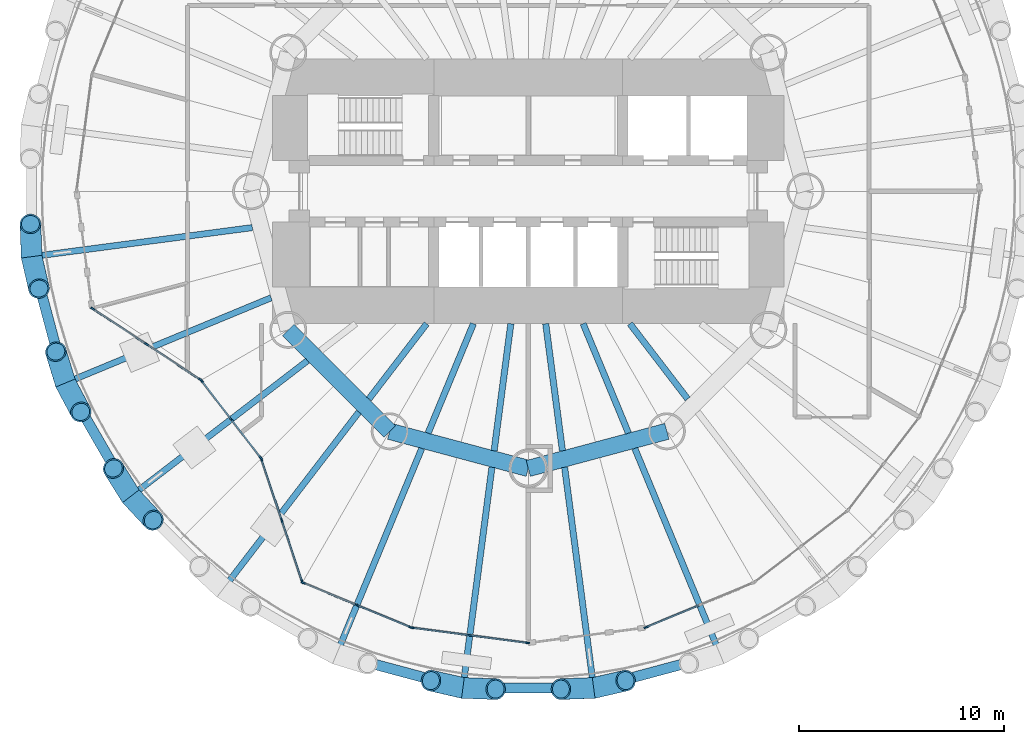
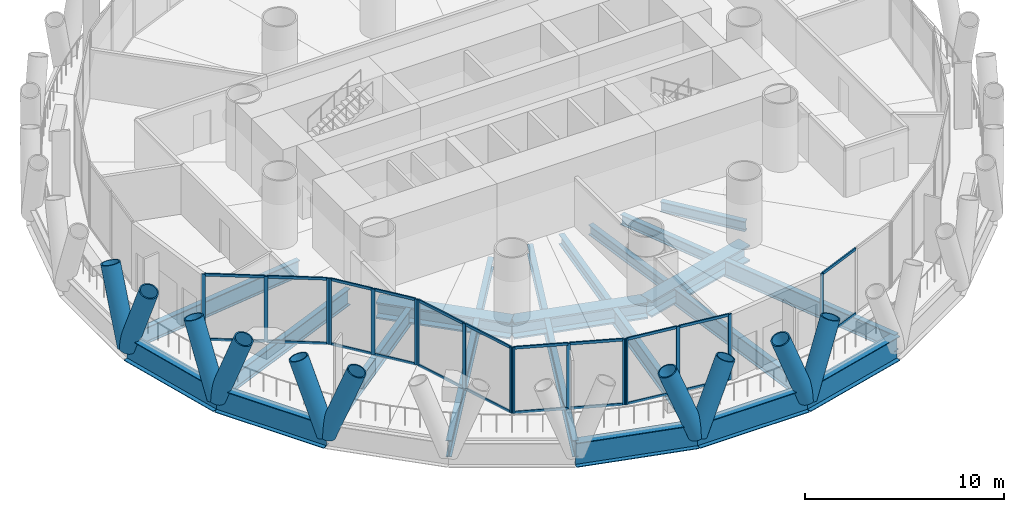
# One storey, part 2 of 14: 48 members, 22 beams, 6 elements without a shape of their own.
"""IFC4 building model written with IfcOpenShell, lengths in metres."""

from ifc_helpers import new_model, si_unit, direction, frame, origin, origin_2d, place, context, subcontext, project, spatial, rectangle, hollow_circle, i_section, extrude, material, material_profile, profile_set, type_object, element, aggregate, save


model = new_model("IFC4")

# Units and contexts
model_context = context("Model", 3, precision=1e-05, world=origin(), true_north=direction((0.0, 1.0)))
body_context = subcontext(model_context, "Body", "Model", "MODEL_VIEW")
ifc_project = project(units=[si_unit("LENGTHUNIT", "METRE"), si_unit("AREAUNIT", "SQUARE_METRE"), si_unit("VOLUMEUNIT", "CUBIC_METRE"), si_unit("PLANEANGLEUNIT", "RADIAN"), si_unit("MASSUNIT", "GRAM", prefix="KILO")], contexts=[model_context])

# Site, building, storey
site_placement = place(None, origin())
site = spatial("IfcSite", under=ifc_project, at=site_placement, CompositionType="ELEMENT")
building_placement = place(site_placement, origin())
building = spatial("IfcBuilding", under=site, at=building_placement, Name="Qaws Media Tower", CompositionType="ELEMENT")
storey_placement = place(building_placement, frame((0.0, 0.0, 185.60009765625)))
storey = spatial("IfcBuildingStorey", under=building, at=storey_placement, Name="L42", CompositionType="ELEMENT", Elevation=185.60009765625)

# Curtain wall, members
ifc_material_1 = material(Name="Aluminium and clear glass", Category="aluminium")
curtain_wall_type_1 = type_object("IfcCurtainWallType", Name="Loggia curtain wall CW-G", PredefinedType="NOTDEFINED", material=ifc_material_1)
curtain_wall_1_placement = place(storey_placement, origin())
curtain_wall_1 = element("IfcCurtainWall", 1, at=curtain_wall_1_placement, inside=storey, type_object=curtain_wall_type_1, Name="CWG curtain wall L42-14", PredefinedType="NOTDEFINED")
ifc_material_2 = material(Name="Aluminium mullion", Category="aluminium")
ifc_material_profile_1 = material_profile(ifc_material_2, rectangle(XDim=0.080078125, YDim=0.199951171875, at=origin_2d()), Name="80x200")
ifc_profile_set_1 = profile_set([ifc_material_profile_1], Name="Aluminium mullion")
member_type_1 = type_object("IfcMemberType", Name="Curtain wall mullion 80x200", PredefinedType="MULLION", material=ifc_profile_set_1)
member_1_placement = place(storey_placement, frame((38.782958984375, 44.283935546875, 0.0), z_axis=(0.0, 0.0, 1.0), x_axis=(0.550596087, 0.834771794553, 0.0)))
member_1 = element("IfcMember", 2, at=member_1_placement, type_object=member_type_1, Name="CWG mullion 1", PredefinedType="MULLION", context=body_context, shape_type="SweptSolid", body=[
    extrude(rectangle(XDim=0.080078125, YDim=0.199951171875, at=origin_2d()), origin(), (0.0, 0.0, 1.0), 4.039794921875),
])
member_2_placement = place(storey_placement, frame((41.407470703125, 42.552978515625, 0.0), z_axis=(0.0, 0.0, 1.0), x_axis=(0.550596087, 0.834771794553, 0.0)))
member_2 = element("IfcMember", 3, at=member_2_placement, type_object=member_type_1, Name="CWG mullion 2", PredefinedType="MULLION", context=body_context, shape_type="SweptSolid", body=[
    extrude(rectangle(XDim=0.080078125, YDim=0.199951171875, at=origin_2d()), origin(), (0.0, 0.0, 1.0), 4.039794921875),
])
member_3_placement = place(storey_placement, frame((44.03173828125, 40.822021484375, 0.0), z_axis=(0.0, 0.0, 1.0), x_axis=(0.550596087, 0.834771794553, 0.0)))
member_3 = element("IfcMember", 4, at=member_3_placement, type_object=member_type_1, Name="CWG mullion 3", PredefinedType="MULLION", context=body_context, shape_type="SweptSolid", body=[
    extrude(rectangle(XDim=0.080078125, YDim=0.199951171875, at=origin_2d()), origin(), (0.0, 0.0, 1.0), 4.039794921875),
])

curtain_wall_2_placement = place(storey_placement, origin())
curtain_wall_2 = element("IfcCurtainWall", 5, at=curtain_wall_2_placement, inside=storey, type_object=curtain_wall_type_1, Name="CWG curtain wall L42-15", PredefinedType="NOTDEFINED")
member_4_placement = place(storey_placement, frame((44.089599609375, 40.768310546875, 0.0), z_axis=(0.0, 0.0, 1.0), x_axis=(0.793353423675, 0.60876132034, 0.0)))
member_4 = element("IfcMember", 6, at=member_4_placement, type_object=member_type_1, Name="CWG mullion 1", PredefinedType="MULLION", context=body_context, shape_type="SweptSolid", body=[
    extrude(rectangle(XDim=0.080078125, YDim=0.199951171875, at=origin_2d()), origin(), (0.0, 0.0, 1.0), 4.039794921875),
])
member_5_placement = place(storey_placement, frame((45.527099609375, 38.89453125, 0.0), z_axis=(0.0, 0.0, 1.0), x_axis=(0.793353423675, 0.60876132034, 0.0)))
member_5 = element("IfcMember", 7, at=member_5_placement, type_object=member_type_1, Name="CWG mullion 2", PredefinedType="MULLION", context=body_context, shape_type="SweptSolid", body=[
    extrude(rectangle(XDim=0.080078125, YDim=0.199951171875, at=origin_2d()), origin(), (0.0, 0.0, 1.0), 4.039794921875),
])
member_6_placement = place(storey_placement, frame((46.96484375, 37.02099609375, 0.0), z_axis=(0.0, 0.0, 1.0), x_axis=(0.793353423675, 0.60876132034, 0.0)))
member_6 = element("IfcMember", 8, at=member_6_placement, type_object=member_type_1, Name="CWG mullion 3", PredefinedType="MULLION", context=body_context, shape_type="SweptSolid", body=[
    extrude(rectangle(XDim=0.080078125, YDim=0.199951171875, at=origin_2d()), origin(), (0.0, 0.0, 1.0), 4.039794921875),
])

curtain_wall_3_placement = place(storey_placement, origin())
curtain_wall_3 = element("IfcCurtainWall", 9, at=curtain_wall_3_placement, inside=storey, type_object=curtain_wall_type_1, Name="CWG curtain wall L42-16", PredefinedType="NOTDEFINED")
member_7_placement = place(storey_placement, frame((47.001953125, 36.951171875, 0.0), z_axis=(0.0, 0.0, 1.0), x_axis=(0.948832369353, 0.315780200248, 0.0)))
member_7 = element("IfcMember", 10, at=member_7_placement, type_object=member_type_1, Name="CWG mullion 1", PredefinedType="MULLION", context=body_context, shape_type="SweptSolid", body=[
    extrude(rectangle(XDim=0.080078125, YDim=0.199951171875, at=origin_2d()), origin(), (0.0, 0.0, 1.0), 4.039794921875),
])
member_8_placement = place(storey_placement, frame((47.99462890625, 33.96826171875, 0.0), z_axis=(0.0, 0.0, 1.0), x_axis=(0.948832369353, 0.315780200248, 0.0)))
member_8 = element("IfcMember", 11, at=member_8_placement, type_object=member_type_1, Name="CWG mullion 2", PredefinedType="MULLION", context=body_context, shape_type="SweptSolid", body=[
    extrude(rectangle(XDim=0.080078125, YDim=0.199951171875, at=origin_2d()), origin(), (0.0, 0.0, 1.0), 4.039794921875),
])
member_9_placement = place(storey_placement, frame((48.9873046875, 30.9853515625, 0.0), z_axis=(0.0, 0.0, 1.0), x_axis=(0.948832369353, 0.315780200248, 0.0)))
member_9 = element("IfcMember", 12, at=member_9_placement, type_object=member_type_1, Name="CWG mullion 3", PredefinedType="MULLION", context=body_context, shape_type="SweptSolid", body=[
    extrude(rectangle(XDim=0.080078125, YDim=0.199951171875, at=origin_2d()), origin(), (0.0, 0.0, 1.0), 4.039794921875),
])

ifc_material_3 = material(Name="Aluminium and clear glass", Category="aluminium")
curtain_wall_type_2 = type_object("IfcCurtainWallType", Name="Unitised curtain wall CW-B", PredefinedType="NOTDEFINED", material=ifc_material_3)
curtain_wall_4_placement = place(storey_placement, origin())
curtain_wall_4 = element("IfcCurtainWall", 13, at=curtain_wall_4_placement, inside=storey, type_object=curtain_wall_type_2, Name="CWB curtain wall L42-17", PredefinedType="NOTDEFINED")
member_10_placement = place(storey_placement, frame((49.036865234375, 30.93212890625, 0.0), z_axis=(0.0, 0.0, 1.0), x_axis=(0.38268338899, 0.923879550478, 0.0)))
member_10 = element("IfcMember", 14, at=member_10_placement, type_object=member_type_1, Name="CWB mullion 1", PredefinedType="MULLION", context=body_context, shape_type="SweptSolid", body=[
    extrude(rectangle(XDim=0.080078125, YDim=0.199951171875, at=origin_2d()), origin(), (0.0, 0.0, 1.0), 4.039794921875),
])
member_11_placement = place(storey_placement, frame((51.653076171875, 29.8486328125, 0.0), z_axis=(0.0, 0.0, 1.0), x_axis=(0.38268338899, 0.923879550478, 0.0)))
member_11 = element("IfcMember", 15, at=member_11_placement, type_object=member_type_1, Name="CWB mullion 2", PredefinedType="MULLION", context=body_context, shape_type="SweptSolid", body=[
    extrude(rectangle(XDim=0.080078125, YDim=0.199951171875, at=origin_2d()), origin(), (0.0, 0.0, 1.0), 4.039794921875),
])
member_12_placement = place(storey_placement, frame((54.26904296875, 28.764892578125, 0.0), z_axis=(0.0, 0.0, 1.0), x_axis=(0.38268338899, 0.923879550478, 0.0)))
member_12 = element("IfcMember", 16, at=member_12_placement, type_object=member_type_1, Name="CWB mullion 3", PredefinedType="MULLION", context=body_context, shape_type="SweptSolid", body=[
    extrude(rectangle(XDim=0.080078125, YDim=0.199951171875, at=origin_2d()), origin(), (0.0, 0.0, 1.0), 4.039794921875),
])

curtain_wall_5_placement = place(storey_placement, origin())
curtain_wall_5 = element("IfcCurtainWall", 17, at=curtain_wall_5_placement, inside=storey, type_object=curtain_wall_type_2, Name="CWB curtain wall L42-18", PredefinedType="NOTDEFINED")
member_13_placement = place(storey_placement, frame((54.345703125, 28.744384765625, 0.0), z_axis=(0.0, 0.0, 1.0), x_axis=(0.130526222571, 0.991444857378, 0.0)))
member_13 = element("IfcMember", 18, at=member_13_placement, type_object=member_type_1, Name="CWB mullion 1", PredefinedType="MULLION", context=body_context, shape_type="SweptSolid", body=[
    extrude(rectangle(XDim=0.080078125, YDim=0.199951171875, at=origin_2d()), origin(), (0.0, 0.0, 1.0), 4.039794921875),
])
member_14_placement = place(storey_placement, frame((57.153076171875, 28.374755859375, 0.0), z_axis=(0.0, 0.0, 1.0), x_axis=(0.130526222571, 0.991444857378, 0.0)))
member_14 = element("IfcMember", 19, at=member_14_placement, type_object=member_type_1, Name="CWB mullion 2", PredefinedType="MULLION", context=body_context, shape_type="SweptSolid", body=[
    extrude(rectangle(XDim=0.080078125, YDim=0.199951171875, at=origin_2d()), origin(), (0.0, 0.0, 1.0), 4.039794921875),
])
member_15_placement = place(storey_placement, frame((59.96044921875, 28.005126953125, 0.0), z_axis=(0.0, 0.0, 1.0), x_axis=(0.130526222571, 0.991444857378, 0.0)))
member_15 = element("IfcMember", 20, at=member_15_placement, type_object=member_type_1, Name="CWB mullion 3", PredefinedType="MULLION", context=body_context, shape_type="SweptSolid", body=[
    extrude(rectangle(XDim=0.080078125, YDim=0.199951171875, at=origin_2d()), origin(), (0.0, 0.0, 1.0), 4.039794921875),
])

# Curtain wall, member
curtain_wall_6_placement = place(storey_placement, origin())
curtain_wall_6 = element("IfcCurtainWall", 21, at=curtain_wall_6_placement, inside=storey, type_object=curtain_wall_type_2, Name="CWB curtain wall L42-20", PredefinedType="NOTDEFINED")
member_16_placement = place(storey_placement, frame((65.73095703125, 28.764892578125, 0.0), z_axis=(0.0, 0.0, 1.0), x_axis=(-0.38268338899, 0.923879550478, 0.0)))
member_16 = element("IfcMember", 22, at=member_16_placement, type_object=member_type_1, Name="CWB mullion 1", PredefinedType="MULLION", context=body_context, shape_type="SweptSolid", body=[
    extrude(rectangle(XDim=0.080078125, YDim=0.199951171875, at=origin_2d()), origin(), (0.0, 0.0, 1.0), 4.039794921875),
])

# Member
ifc_material_4 = material(Name="Aluminium transom", Category="aluminium")
ifc_material_profile_2 = material_profile(ifc_material_4, rectangle(XDim=0.080078125, YDim=0.159912109375, at=origin_2d()), Name="80x160")
ifc_profile_set_2 = profile_set([ifc_material_profile_2], Name="Aluminium transom")
member_type_2 = type_object("IfcMemberType", Name="Curtain wall transom 80x160", PredefinedType="USERDEFINED", material=ifc_profile_set_2)
member_17_placement = place(storey_placement, frame((38.81640625, 44.261962890625, 0.039794921875), z_axis=(0.834761769677, -0.55061128565, 0.0), x_axis=(0.55061128565, 0.834761769677, 0.0)))
member_17 = element("IfcMember", 23, at=member_17_placement, type_object=member_type_2, Name="CWG transom 1.1", ObjectType="TRANSOM", PredefinedType="USERDEFINED", context=body_context, shape_type="SweptSolid", body=[
    extrude(rectangle(XDim=0.080078125, YDim=0.159912109375, at=origin_2d()), origin(), (0.0, 0.0, 1.0), 3.06396484375),
])

member_18_placement = place(storey_placement, frame((38.81640625, 44.261962890625, 4.0), z_axis=(0.834761769677, -0.55061128565, 0.0), x_axis=(0.55061128565, 0.834761769677, 0.0)))
member_18 = element("IfcMember", 24, at=member_18_placement, type_object=member_type_2, Name="CWG transom 1.2", ObjectType="TRANSOM", PredefinedType="USERDEFINED", context=body_context, shape_type="SweptSolid", body=[
    extrude(rectangle(XDim=0.080078125, YDim=0.159912109375, at=origin_2d()), origin(), (0.0, 0.0, 1.0), 3.06396484375),
])

member_19_placement = place(storey_placement, frame((41.440673828125, 42.531005859375, 0.039794921875), z_axis=(0.834761769677, -0.55061128565, 0.0), x_axis=(0.55061128565, 0.834761769677, 0.0)))
member_19 = element("IfcMember", 25, at=member_19_placement, type_object=member_type_2, Name="CWG transom 2.1", ObjectType="TRANSOM", PredefinedType="USERDEFINED", context=body_context, shape_type="SweptSolid", body=[
    extrude(rectangle(XDim=0.080078125, YDim=0.159912109375, at=origin_2d()), origin(), (0.0, 0.0, 1.0), 3.06396484375),
])

member_20_placement = place(storey_placement, frame((41.440673828125, 42.531005859375, 4.0), z_axis=(0.834761769677, -0.55061128565, 0.0), x_axis=(0.55061128565, 0.834761769677, 0.0)))
member_20 = element("IfcMember", 26, at=member_20_placement, type_object=member_type_2, Name="CWG transom 2.2", ObjectType="TRANSOM", PredefinedType="USERDEFINED", context=body_context, shape_type="SweptSolid", body=[
    extrude(rectangle(XDim=0.080078125, YDim=0.159912109375, at=origin_2d()), origin(), (0.0, 0.0, 1.0), 3.06396484375),
])

aggregate(curtain_wall_1, [member_1, member_2, member_3, member_17, member_18, member_19, member_20])

member_21_placement = place(storey_placement, frame((44.11376953125, 40.736572265625, 0.039794921875), z_axis=(0.608779636854, -0.793339368589, 0.0), x_axis=(0.793339368589, 0.608779636854, 0.0)))
member_21 = element("IfcMember", 27, at=member_21_placement, type_object=member_type_2, Name="CWG transom 1.1", ObjectType="TRANSOM", PredefinedType="USERDEFINED", context=body_context, shape_type="SweptSolid", body=[
    extrude(rectangle(XDim=0.080078125, YDim=0.159912109375, at=origin_2d()), origin(), (0.0, 0.0, 1.0), 2.281982421875),
])

member_22_placement = place(storey_placement, frame((44.11376953125, 40.736572265625, 4.0), z_axis=(0.608779636854, -0.793339368589, 0.0), x_axis=(0.793339368589, 0.608779636854, 0.0)))
member_22 = element("IfcMember", 28, at=member_22_placement, type_object=member_type_2, Name="CWG transom 1.2", ObjectType="TRANSOM", PredefinedType="USERDEFINED", context=body_context, shape_type="SweptSolid", body=[
    extrude(rectangle(XDim=0.080078125, YDim=0.159912109375, at=origin_2d()), origin(), (0.0, 0.0, 1.0), 2.281982421875),
])

member_23_placement = place(storey_placement, frame((45.551513671875, 38.86279296875, 0.039794921875), z_axis=(0.608763968901, -0.793351391357, 0.0), x_axis=(0.793351391357, 0.608763968901, 0.0)))
member_23 = element("IfcMember", 29, at=member_23_placement, type_object=member_type_2, Name="CWG transom 2.1", ObjectType="TRANSOM", PredefinedType="USERDEFINED", context=body_context, shape_type="SweptSolid", body=[
    extrude(rectangle(XDim=0.080078125, YDim=0.159912109375, at=origin_2d()), origin(), (0.0, 0.0, 1.0), 2.281494140625),
])

member_24_placement = place(storey_placement, frame((45.551513671875, 38.86279296875, 4.0), z_axis=(0.608763968901, -0.793351391357, 0.0), x_axis=(0.793351391357, 0.608763968901, 0.0)))
member_24 = element("IfcMember", 30, at=member_24_placement, type_object=member_type_2, Name="CWG transom 2.2", ObjectType="TRANSOM", PredefinedType="USERDEFINED", context=body_context, shape_type="SweptSolid", body=[
    extrude(rectangle(XDim=0.080078125, YDim=0.159912109375, at=origin_2d()), origin(), (0.0, 0.0, 1.0), 2.281494140625),
])

aggregate(curtain_wall_2, [member_4, member_5, member_6, member_21, member_22, member_23, member_24])

member_25_placement = place(storey_placement, frame((47.014404296875, 36.913330078125, 0.039794921875), z_axis=(0.315797426622, -0.948826636082, 0.0), x_axis=(0.948826636082, 0.315797426622, 0.0)))
member_25 = element("IfcMember", 31, at=member_25_placement, type_object=member_type_2, Name="CWG transom 1.1", ObjectType="TRANSOM", PredefinedType="USERDEFINED", context=body_context, shape_type="SweptSolid", body=[
    extrude(rectangle(XDim=0.080078125, YDim=0.159912109375, at=origin_2d()), origin(), (0.0, 0.0, 1.0), 3.063720703125),
])

member_26_placement = place(storey_placement, frame((47.014404296875, 36.913330078125, 4.0), z_axis=(0.315797426622, -0.948826636082, 0.0), x_axis=(0.948826636082, 0.315797426622, 0.0)))
member_26 = element("IfcMember", 32, at=member_26_placement, type_object=member_type_2, Name="CWG transom 1.2", ObjectType="TRANSOM", PredefinedType="USERDEFINED", context=body_context, shape_type="SweptSolid", body=[
    extrude(rectangle(XDim=0.080078125, YDim=0.159912109375, at=origin_2d()), origin(), (0.0, 0.0, 1.0), 3.063720703125),
])

member_27_placement = place(storey_placement, frame((48.00732421875, 33.930419921875, 0.039794921875), z_axis=(0.315797426622, -0.948826636082, 0.0), x_axis=(0.948826636082, 0.315797426622, 0.0)))
member_27 = element("IfcMember", 33, at=member_27_placement, type_object=member_type_2, Name="CWG transom 2.1", ObjectType="TRANSOM", PredefinedType="USERDEFINED", context=body_context, shape_type="SweptSolid", body=[
    extrude(rectangle(XDim=0.080078125, YDim=0.159912109375, at=origin_2d()), origin(), (0.0, 0.0, 1.0), 3.063720703125),
])

member_28_placement = place(storey_placement, frame((48.00732421875, 33.930419921875, 4.0), z_axis=(0.315797426622, -0.948826636082, 0.0), x_axis=(0.948826636082, 0.315797426622, 0.0)))
member_28 = element("IfcMember", 34, at=member_28_placement, type_object=member_type_2, Name="CWG transom 2.2", ObjectType="TRANSOM", PredefinedType="USERDEFINED", context=body_context, shape_type="SweptSolid", body=[
    extrude(rectangle(XDim=0.080078125, YDim=0.159912109375, at=origin_2d()), origin(), (0.0, 0.0, 1.0), 3.063720703125),
])

aggregate(curtain_wall_3, [member_7, member_8, member_9, member_25, member_26, member_27, member_28])

member_29_placement = place(storey_placement, frame((49.073974609375, 30.916748046875, 0.039794921875), z_axis=(0.923872994947, -0.38269921506, 0.0), x_axis=(0.38269921506, 0.923872994947, 0.0)))
member_29 = element("IfcMember", 35, at=member_29_placement, type_object=member_type_2, Name="CWB transom 1.1", ObjectType="TRANSOM", PredefinedType="USERDEFINED", context=body_context, shape_type="SweptSolid", body=[
    extrude(rectangle(XDim=0.080078125, YDim=0.159912109375, at=origin_2d()), origin(), (0.0, 0.0, 1.0), 2.75146484375),
])

member_30_placement = place(storey_placement, frame((49.073974609375, 30.916748046875, 4.0), z_axis=(0.923872994947, -0.38269921506, 0.0), x_axis=(0.38269921506, 0.923872994947, 0.0)))
member_30 = element("IfcMember", 36, at=member_30_placement, type_object=member_type_2, Name="CWB transom 1.2", ObjectType="TRANSOM", PredefinedType="USERDEFINED", context=body_context, shape_type="SweptSolid", body=[
    extrude(rectangle(XDim=0.080078125, YDim=0.159912109375, at=origin_2d()), origin(), (0.0, 0.0, 1.0), 2.75146484375),
])

member_31_placement = place(storey_placement, frame((51.68994140625, 29.833251953125, 0.039794921875), z_axis=(0.923885988857, -0.382667844996, 0.0), x_axis=(0.382667844996, 0.923885988857, 0.0)))
member_31 = element("IfcMember", 37, at=member_31_placement, type_object=member_type_2, Name="CWB transom 2.1", ObjectType="TRANSOM", PredefinedType="USERDEFINED", context=body_context, shape_type="SweptSolid", body=[
    extrude(rectangle(XDim=0.080078125, YDim=0.159912109375, at=origin_2d()), origin(), (0.0, 0.0, 1.0), 2.751708984375),
])

member_32_placement = place(storey_placement, frame((51.68994140625, 29.833251953125, 4.0), z_axis=(0.923885988857, -0.382667844996, 0.0), x_axis=(0.382667844996, 0.923885988857, 0.0)))
member_32 = element("IfcMember", 38, at=member_32_placement, type_object=member_type_2, Name="CWB transom 2.2", ObjectType="TRANSOM", PredefinedType="USERDEFINED", context=body_context, shape_type="SweptSolid", body=[
    extrude(rectangle(XDim=0.080078125, YDim=0.159912109375, at=origin_2d()), origin(), (0.0, 0.0, 1.0), 2.751708984375),
])

aggregate(curtain_wall_4, [member_10, member_11, member_12, member_29, member_30, member_31, member_32])

member_33_placement = place(storey_placement, frame((54.38525390625, 28.7392578125, 0.039794921875), z_axis=(0.991445837429, -0.130518778133, 0.0), x_axis=(0.130518778133, 0.991445837429, 0.0)))
member_33 = element("IfcMember", 39, at=member_33_placement, type_object=member_type_2, Name="CWB transom 1.1", ObjectType="TRANSOM", PredefinedType="USERDEFINED", context=body_context, shape_type="SweptSolid", body=[
    extrude(rectangle(XDim=0.080078125, YDim=0.159912109375, at=origin_2d()), origin(), (0.0, 0.0, 1.0), 2.75146484375),
])

member_34_placement = place(storey_placement, frame((54.38525390625, 28.7392578125, 4.0), z_axis=(0.991445837429, -0.130518778133, 0.0), x_axis=(0.130518778133, 0.991445837429, 0.0)))
member_34 = element("IfcMember", 40, at=member_34_placement, type_object=member_type_2, Name="CWB transom 1.2", ObjectType="TRANSOM", PredefinedType="USERDEFINED", context=body_context, shape_type="SweptSolid", body=[
    extrude(rectangle(XDim=0.080078125, YDim=0.159912109375, at=origin_2d()), origin(), (0.0, 0.0, 1.0), 2.75146484375),
])

member_35_placement = place(storey_placement, frame((57.192626953125, 28.36962890625, 0.039794921875), z_axis=(0.991445837429, -0.130518778133, 0.0), x_axis=(0.130518778133, 0.991445837429, 0.0)))
member_35 = element("IfcMember", 41, at=member_35_placement, type_object=member_type_2, Name="CWB transom 2.1", ObjectType="TRANSOM", PredefinedType="USERDEFINED", context=body_context, shape_type="SweptSolid", body=[
    extrude(rectangle(XDim=0.080078125, YDim=0.159912109375, at=origin_2d()), origin(), (0.0, 0.0, 1.0), 2.75146484375),
])

member_36_placement = place(storey_placement, frame((57.192626953125, 28.36962890625, 4.0), z_axis=(0.991445837429, -0.130518778133, 0.0), x_axis=(0.130518778133, 0.991445837429, 0.0)))
member_36 = element("IfcMember", 42, at=member_36_placement, type_object=member_type_2, Name="CWB transom 2.2", ObjectType="TRANSOM", PredefinedType="USERDEFINED", context=body_context, shape_type="SweptSolid", body=[
    extrude(rectangle(XDim=0.080078125, YDim=0.159912109375, at=origin_2d()), origin(), (0.0, 0.0, 1.0), 2.75146484375),
])

aggregate(curtain_wall_5, [member_13, member_14, member_15, member_33, member_34, member_35, member_36])

member_37_placement = place(storey_placement, frame((65.767822265625, 28.7802734375, 0.039794921875), z_axis=(0.923885988857, 0.382667844996, 0.0), x_axis=(-0.382667844996, 0.923885988857, 0.0)))
member_37 = element("IfcMember", 43, at=member_37_placement, type_object=member_type_2, Name="CWB transom 1.1", ObjectType="TRANSOM", PredefinedType="USERDEFINED", context=body_context, shape_type="SweptSolid", body=[
    extrude(rectangle(XDim=0.080078125, YDim=0.159912109375, at=origin_2d()), origin(), (0.0, 0.0, 1.0), 2.751708984375),
])

member_38_placement = place(storey_placement, frame((65.767822265625, 28.7802734375, 4.0), z_axis=(0.923885988857, 0.382667844996, 0.0), x_axis=(-0.382667844996, 0.923885988857, 0.0)))
member_38 = element("IfcMember", 44, at=member_38_placement, type_object=member_type_2, Name="CWB transom 1.2", ObjectType="TRANSOM", PredefinedType="USERDEFINED", context=body_context, shape_type="SweptSolid", body=[
    extrude(rectangle(XDim=0.080078125, YDim=0.159912109375, at=origin_2d()), origin(), (0.0, 0.0, 1.0), 2.751708984375),
])

aggregate(curtain_wall_6, [member_16, member_37, member_38])

# Members
ifc_material_5 = material(Name="Steel S460", Category="steel")
ifc_material_profile_3 = material_profile(ifc_material_5, hollow_circle(Radius=0.508056640625, WallThickness=0.070068359375, at=origin_2d()), Name="CHS 1016x70")
ifc_profile_set_3 = profile_set([ifc_material_profile_3], Name="Steel S460")
member_type_3 = type_object("IfcMemberType", Name="Diagrid member CHS 1016x70", PredefinedType="USERDEFINED", material=ifc_profile_set_3)
for number, where, z_axis, x_axis, name in (
    (45, (35.808837890625, 46.815185546875, -0.91015625), (0.079710554572, -0.346281775248, 0.93473801657), (0.974514753166, 0.224323417997, 0.0), "DG3 diagrid L42 A13"),
    (46, (35.808837890625, 46.815185546875, -0.91015625), (-0.012660356523, 0.35508768187, 0.93474726721), (-0.999364995445, -0.035631529294, 0.0), "DG3 diagrid L42 B13"),
    (47, (37.457275390625, 40.66259765625, -0.91015625), (0.166647408774, -0.313842658324, 0.934736019936), (0.883210731747, 0.468976335573, 0.0), "DG3 diagrid L42 A14"),
    (48, (37.457275390625, 40.66259765625, -0.91015625), (-0.104108639779, 0.339711490552, 0.934749963525), (-0.956109060832, -0.293011030159, 0.0), "DG3 diagrid L42 B14"),
    (49, (40.64208984375, 35.146240234375, -0.91015625), (0.242173240947, -0.260049614354, 0.934733287865), (0.731812451309, 0.68150607929, 0.0), "DG3 diagrid L42 A15"),
    (50, (40.64208984375, 35.146240234375, -0.91015625), (-0.188489993373, 0.301236241932, 0.934734319978), (-0.847723298721, -0.530438694672, 0.0), "DG3 diagrid L42 B15"),
    (51, (56.815185546875, 25.808837890625, -0.91015625), (0.35508768187, -0.012660356523, 0.93474726721), (0.035631529294, 0.999364995445, 0.0), "DG3 diagrid L42 A18"),
    (52, (56.815185546875, 25.808837890625, -0.91015625), (-0.346281775248, 0.079710554572, 0.93473801657), (-0.224323417997, -0.974514753166, 0.0), "DG3 diagrid L42 B18"),
    (53, (63.184814453125, 25.808837890625, -0.91015625), (0.346281775248, 0.079710554572, 0.93473801657), (-0.224323417997, 0.974514753166, 0.0), "DG3 diagrid L42 A19"),
    (54, (63.184814453125, 25.808837890625, -0.91015625), (-0.35508768187, -0.012660356523, 0.93474726721), (0.035631529294, -0.999364995445, 0.0), "DG3 diagrid L42 B19"),
):
    element("IfcMember", number, at=place(storey_placement, frame(where, z_axis=z_axis, x_axis=x_axis)), inside=storey, type_object=member_type_3, Name=name, ObjectType="DIAGRID", PredefinedType="USERDEFINED", context=body_context, shape_type="SweptSolid", body=[
        extrude(hollow_circle(Radius=0.508056640625, WallThickness=0.070068359375, at=origin_2d()), origin(), (0.0, 0.0, 1.0), 4.4931640625),
    ])

# Beams
ifc_material_6 = material(Name="Steel S460", Category="steel")
ifc_material_profile_4 = material_profile(ifc_material_6, i_section(OverallWidth=0.5, OverallDepth=1.5, WebThickness=0.02001953125, FlangeThickness=0.0400390625, at=origin_2d()), Name="PG 1500x500")
ifc_profile_set_4 = profile_set([ifc_material_profile_4], Name="Steel S460")
beam_type_1 = type_object("IfcBeamType", Name="Edge ring beam PG 1500x500", PredefinedType="BEAM", material=ifc_profile_set_4)
for number, where, z_axis, x_axis, name in (
    (55, (35.808837890625, 46.815185546875, -0.91015625), (0.258798031621, -0.965931456589, 0.0), (0.965931456589, 0.258798031621, 0.0), "RB4 edge ring beam L42-13"),
    (56, (37.457275390625, 40.66259765625, -0.91015625), (0.499993407537, -0.866029209911, 0.0), (0.866029209911, 0.499993407537, 0.0), "RB4 edge ring beam L42-14"),
    (57, (50.66259765625, 27.457275390625, -0.91015625), (0.965931456589, -0.258798031621, 0.0), (0.258798031621, 0.965931456589, 0.0), "RB4 edge ring beam L42-17"),
    (58, (56.815185546875, 25.808837890625, -0.91015625), (1.0, 0.0, 0.0), (0.0, 1.0, 0.0), "RB4 edge ring beam L42-18"),
    (59, (63.184814453125, 25.808837890625, -0.91015625), (0.965931456589, 0.258798031621, 0.0), (-0.258798031621, 0.965931456589, 0.0), "RB4 edge ring beam L42-19"),
):
    element("IfcBeam", number, at=place(storey_placement, frame(where, z_axis=z_axis, x_axis=x_axis)), inside=storey, type_object=beam_type_1, Name=name, PredefinedType="BEAM", context=body_context, shape_type="SweptSolid", body=[
        extrude(i_section(OverallWidth=0.5, OverallDepth=1.5, WebThickness=0.02001953125, FlangeThickness=0.0400390625, at=origin_2d()), origin(), (0.0, 0.0, 1.0), 6.36962890625),
    ])
ifc_material_7 = material(Name="Steel S460", Category="steel")
ifc_material_profile_5 = material_profile(ifc_material_7, i_section(OverallWidth=0.800048828125, OverallDepth=1.0, WebThickness=0.0400390625, FlangeThickness=0.10009765625, at=origin_2d()), Name="PG 1000x800")
ifc_profile_set_5 = profile_set([ifc_material_profile_5], Name="Steel S460")
beam_type_2 = type_object("IfcBeamType", Name="Inner ring girder PG 1000x800", PredefinedType="BEAM", material=ifc_profile_set_5)
beam_1_placement = place(storey_placement, frame((48.30859375, 43.25, -0.66015625), z_axis=(0.707106781187, -0.707106781187, 0.0), x_axis=(0.707106781187, 0.707106781187, 0.0)))
element("IfcBeam", 60, at=beam_1_placement, inside=storey, type_object=beam_type_2, Name="B3 inner ring beam L42 I08-I09", PredefinedType="BEAM", context=body_context, shape_type="SweptSolid", body=[
    extrude(i_section(OverallWidth=0.800048828125, OverallDepth=1.0, WebThickness=0.0400390625, FlangeThickness=0.10009765625, at=origin_2d()), origin(), (0.0, 0.0, 1.0), 6.98828125),
])
for number, where, z_axis, x_axis, name in (
    (61, (53.25, 38.30859375, -0.66015625), (0.965928090778, -0.258810593767, 0.0), (0.258810593767, 0.965928090778, 0.0), "B3 inner ring beam L42 I09-I10"),
    (62, (60.0, 36.5, -0.66015625), (0.965928090778, 0.258810593767, 0.0), (-0.258810593767, 0.965928090778, 0.0), "B3 inner ring beam L42 I10-I11"),
):
    element("IfcBeam", number, at=place(storey_placement, frame(where, z_axis=z_axis, x_axis=x_axis)), inside=storey, type_object=beam_type_2, Name=name, PredefinedType="BEAM", context=body_context, shape_type="SweptSolid", body=[
        extrude(i_section(OverallWidth=0.800048828125, OverallDepth=1.0, WebThickness=0.0400390625, FlangeThickness=0.10009765625, at=origin_2d()), origin(), (0.0, 0.0, 1.0), 6.988037109375),
    ])
ifc_material_8 = material(Name="Steel S355", Category="steel")
ifc_material_profile_6 = material_profile(ifc_material_8, i_section(OverallWidth=0.302001953125, OverallDepth=1.008056640625, WebThickness=0.02099609375, FlangeThickness=0.0400390625, FilletRadius=0.030029296875, at=origin_2d()), Name="HE 1000 M")
ifc_profile_set_6 = profile_set([ifc_material_profile_6], Name="Steel S355")
beam_type_3 = type_object("IfcBeamType", Name="Radial beam HE 1000 M", PredefinedType="BEAM", material=ifc_profile_set_6)
for number, where, z_axis, x_axis, name in (
    (63, (46.56005859375, 48.230712890625, -0.6640625), (-0.991443640675, -0.130535464011, 0.0), (0.130535464011, -0.991443640675, 0.0), "B1 radial beam L42 13"),
    (64, (47.475830078125, 44.812255859375, -0.6640625), (-0.923884847613, -0.382670600323, 0.0), (0.382670600323, -0.923884847613, 0.0), "B1 radial beam L42 14"),
    (65, (49.245361328125, 41.74755859375, -0.6640625), (-0.793362427349, -0.608749586342, 0.0), (0.608749586342, -0.793362427349, 0.0), "B1 radial beam L42 15"),
    (66, (51.74755859375, 39.245361328125, -0.6640625), (-0.608749586342, -0.793362427349, 0.0), (0.793362427349, -0.608749586342, 0.0), "B1 radial beam L42 16"),
    (67, (54.812255859375, 37.475830078125, -0.6640625), (-0.382670600323, -0.923884847613, 0.0), (0.923884847613, -0.382670600323, 0.0), "B1 radial beam L42 17"),
    (68, (58.230712890625, 36.56005859375, -0.6640625), (-0.130535464011, -0.991443640675, 0.0), (0.991443640675, -0.130535464011, 0.0), "B1 radial beam L42 18"),
    (69, (61.769287109375, 36.56005859375, -0.6640625), (0.130535464011, -0.991443640675, 0.0), (0.991443640675, 0.130535464011, 0.0), "B1 radial beam L42 19"),
    (70, (65.187744140625, 37.475830078125, -0.6640625), (0.382670600323, -0.923884847613, 0.0), (0.923884847613, 0.382670600323, 0.0), "B1 radial beam L42 20"),
):
    element("IfcBeam", number, at=place(storey_placement, frame(where, z_axis=z_axis, x_axis=x_axis)), inside=storey, type_object=beam_type_3, Name=name, PredefinedType="BEAM", context=body_context, shape_type="SweptSolid", body=[
        extrude(i_section(OverallWidth=0.302001953125, OverallDepth=1.008056640625, WebThickness=0.02099609375, FlangeThickness=0.0400390625, FilletRadius=0.030029296875, at=origin_2d()), origin(), (0.0, 0.0, 1.0), 10.843994140625),
    ])
ifc_material_9 = material(Name="Steel S355", Category="steel")
ifc_material_profile_7 = material_profile(ifc_material_9, i_section(OverallWidth=0.304931640625, OverallDepth=0.6201171875, WebThickness=0.02099609375, FlangeThickness=0.0400390625, FilletRadius=0.027099609375, at=origin_2d()), Name="HE 600 M")
ifc_profile_set_7 = profile_set([ifc_material_profile_7], Name="Steel S355")
beam_type_4 = type_object("IfcBeamType", Name="Radial beam HE 600 M, core side", PredefinedType="BEAM", material=ifc_profile_set_7)
beam_2_placement = place(storey_placement, frame((55.05078125, 43.550048828125, -0.47021484375), z_axis=(-0.608775464599, -0.793342570206, 0.0), x_axis=(0.793342570206, -0.608775464599, 0.0)))
element("IfcBeam", 71, at=beam_2_placement, inside=storey, type_object=beam_type_4, Name="B2 radial beam L42 16", PredefinedType="BEAM", context=body_context, shape_type="SweptSolid", body=[
    extrude(i_section(OverallWidth=0.304931640625, OverallDepth=0.6201171875, WebThickness=0.02099609375, FlangeThickness=0.0400390625, FilletRadius=0.027099609375, at=origin_2d()), origin(), (0.0, 0.0, 1.0), 4.619140625),
])
beam_3_placement = place(storey_placement, frame((57.328369140625, 43.550048828125, -0.47021484375), z_axis=(-0.382696973442, -0.923873923497, 0.0), x_axis=(0.923873923497, -0.382696973442, 0.0)))
element("IfcBeam", 72, at=beam_3_placement, inside=storey, type_object=beam_type_4, Name="B2 radial beam L42 17", PredefinedType="BEAM", context=body_context, shape_type="SweptSolid", body=[
    extrude(i_section(OverallWidth=0.304931640625, OverallDepth=0.6201171875, WebThickness=0.02099609375, FlangeThickness=0.0400390625, FilletRadius=0.027099609375, at=origin_2d()), origin(), (0.0, 0.0, 1.0), 5.767578125),
])
for number, where, z_axis, x_axis, name in (
    (73, (59.15087890625, 43.550048828125, -0.47021484375), (-0.130529366269, -0.991444443497, 0.0), (0.991444443497, -0.130529366269, 0.0), "B2 radial beam L42 18"),
    (74, (60.84912109375, 43.550048828125, -0.47021484375), (0.130529366269, -0.991444443497, 0.0), (0.991444443497, 0.130529366269, 0.0), "B2 radial beam L42 19"),
):
    element("IfcBeam", number, at=place(storey_placement, frame(where, z_axis=z_axis, x_axis=x_axis)), inside=storey, type_object=beam_type_4, Name=name, PredefinedType="BEAM", context=body_context, shape_type="SweptSolid", body=[
        extrude(i_section(OverallWidth=0.304931640625, OverallDepth=0.6201171875, WebThickness=0.02099609375, FlangeThickness=0.0400390625, FilletRadius=0.027099609375, at=origin_2d()), origin(), (0.0, 0.0, 1.0), 6.243408203125),
    ])
beam_4_placement = place(storey_placement, frame((62.671630859375, 43.550048828125, -0.47021484375), z_axis=(0.382696973442, -0.923873923497, 0.0), x_axis=(0.923873923497, 0.382696973442, 0.0)))
element("IfcBeam", 75, at=beam_4_placement, inside=storey, type_object=beam_type_4, Name="B2 radial beam L42 20", PredefinedType="BEAM", context=body_context, shape_type="SweptSolid", body=[
    extrude(i_section(OverallWidth=0.304931640625, OverallDepth=0.6201171875, WebThickness=0.02099609375, FlangeThickness=0.0400390625, FilletRadius=0.027099609375, at=origin_2d()), origin(), (0.0, 0.0, 1.0), 5.767578125),
])
beam_5_placement = place(storey_placement, frame((64.94921875, 43.550048828125, -0.47021484375), z_axis=(0.608775464599, -0.793342570206, 0.0), x_axis=(0.793342570206, 0.608775464599, 0.0)))
element("IfcBeam", 76, at=beam_5_placement, inside=storey, type_object=beam_type_4, Name="B2 radial beam L42 21", PredefinedType="BEAM", context=body_context, shape_type="SweptSolid", body=[
    extrude(i_section(OverallWidth=0.304931640625, OverallDepth=0.6201171875, WebThickness=0.02099609375, FlangeThickness=0.0400390625, FilletRadius=0.027099609375, at=origin_2d()), origin(), (0.0, 0.0, 1.0), 4.619140625),
])

save(model, "model.ifc")
